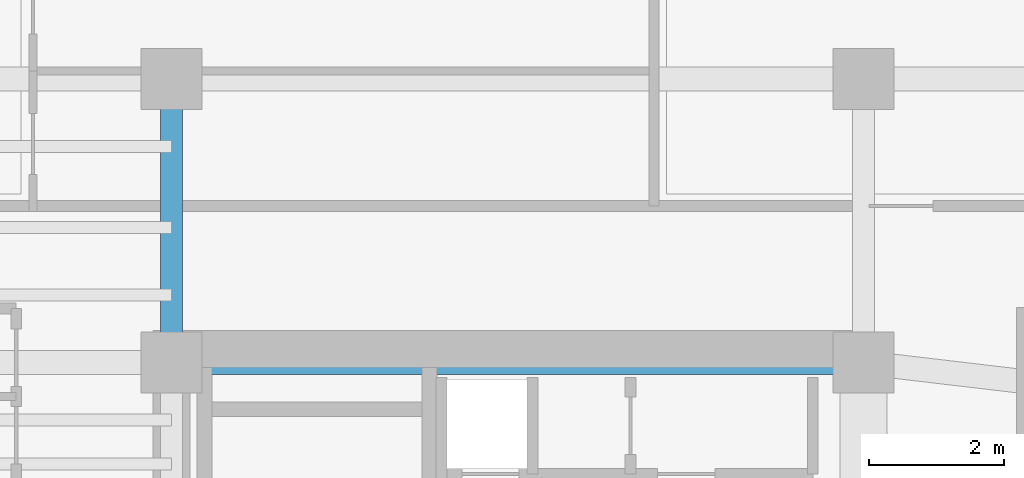
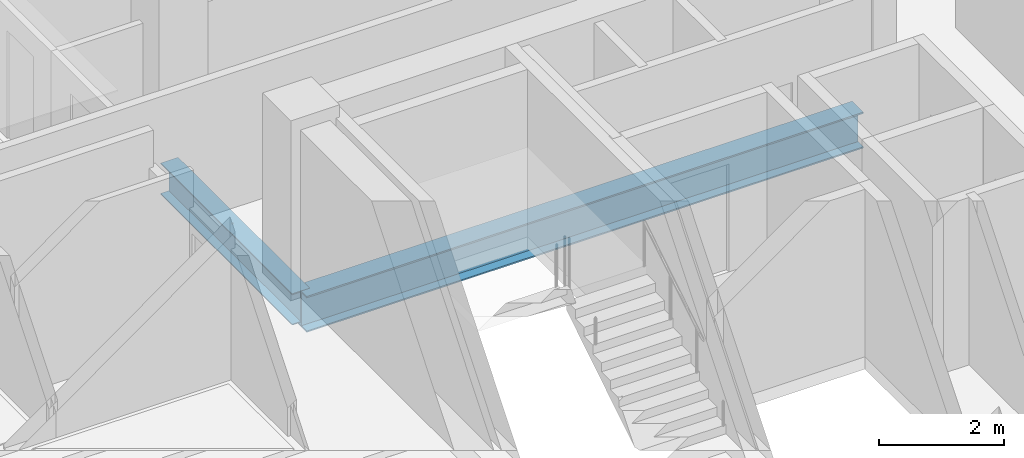
# One storey, part 9 of 23: 2 beams.
"""IFC4 building model written with IfcOpenShell, lengths in metres."""

from ifc_helpers import new_model, si_unit, direction, frame, origin, origin_2d, place, context, subcontext, project, spatial, i_section, extrude, source, transform, mapped, material, material_profile, profile_set, type_object, element, save


model = new_model("IFC4")

# Units and contexts
model_context = context("Model", 3, precision=1e-05, world=origin(), true_north=direction((0.0, 1.0)))
body_context = subcontext(model_context, "Body", "Model", "MODEL_VIEW")
ifc_project = project(units=[si_unit("LENGTHUNIT", "METRE"), si_unit("AREAUNIT", "SQUARE_METRE"), si_unit("VOLUMEUNIT", "CUBIC_METRE"), si_unit("PLANEANGLEUNIT", "RADIAN"), si_unit("MASSUNIT", "GRAM", prefix="KILO")], contexts=[model_context])

# Site, building, storey
site_placement = place(None, origin())
site = spatial("IfcSite", under=ifc_project, at=site_placement, CompositionType="ELEMENT")
building_placement = place(site_placement, origin())
building = spatial("IfcBuilding", under=site, at=building_placement, Name="Valdorenza Pilgrim Sanctuary Tower", CompositionType="ELEMENT")
storey_placement = place(building_placement, frame((0.0, 0.0, 226.5)))
storey = spatial("IfcBuildingStorey", under=building, at=storey_placement, Name="L58", CompositionType="ELEMENT", Elevation=226.5)

# Beams
ifc_material = material(Name="Steel ASTM A992 Grade 50", Category="steel")
ifc_material_profile_1 = material_profile(ifc_material, i_section(OverallWidth=0.323974609375, OverallDepth=0.611083984375, WebThickness=0.0126953125, FlangeThickness=0.01904296875, at=origin_2d()), Name="W24X104")
ifc_profile_set_1 = profile_set([ifc_material_profile_1], Name="Steel ASTM A992 Grade 50")
beam_type_1 = type_object("IfcBeamType", Name="STR-BM-GRD-W24B", PredefinedType="BEAM", material=ifc_profile_set_1)
shared_shape_1 = source(origin(), body_context, "Body", "SweptSolid", [
    extrude(i_section(OverallWidth=0.323974609375, OverallDepth=0.611083984375, WebThickness=0.0126953125, FlangeThickness=0.01904296875, at=origin_2d()), origin(), (0.0, 0.0, 1.0), 4.199951171875),
])
beam_1_placement = place(storey_placement, frame((-22.64990234375, 10.60009765625, -0.54541015625), z_axis=(0.0, 1.0, 0.0), x_axis=(-1.0, 0.0, 0.0)))
element("IfcBeam", 1, at=beam_1_placement, inside=storey, type_object=beam_type_1, Name="L58 Core Tie Girder CA-W-N1N2", PredefinedType="BEAM", context=body_context, shape_type="MappedRepresentation", body=[
    mapped(shared_shape_1, transform((0.0, 0.0, 0.0), x_axis=(1.0, 0.0, 0.0), y_axis=(0.0, 1.0, 0.0), z_axis=(0.0, 0.0, 1.0), scale=1.0)),
])
ifc_material_profile_2 = material_profile(ifc_material, i_section(OverallWidth=0.35595703125, OverallDepth=0.700927734375, WebThickness=0.016845703125, FlangeThickness=0.02734375, at=origin_2d()), Name="W27X161")
ifc_profile_set_2 = profile_set([ifc_material_profile_2], Name="Steel ASTM A992 Grade 50")
beam_type_2 = type_object("IfcBeamType", Name="STR-BM-GRD-W27", PredefinedType="BEAM", material=ifc_profile_set_2)
shared_shape_2 = source(origin(), body_context, "Body", "SweptSolid", [
    extrude(i_section(OverallWidth=0.35595703125, OverallDepth=0.700927734375, WebThickness=0.016845703125, FlangeThickness=0.02734375, at=origin_2d()), origin(), (0.0, 0.0, 1.0), 10.25),
])
beam_2_placement = place(storey_placement, frame((-22.64990234375, 10.60009765625, -0.590576171875), z_axis=(1.0, 0.0, 0.0), x_axis=(0.0, 1.0, 0.0)))
element("IfcBeam", 2, at=beam_2_placement, inside=storey, type_object=beam_type_2, Name="L58 Floor Girder CA-XC-N1", PredefinedType="BEAM", context=body_context, shape_type="MappedRepresentation", body=[
    mapped(shared_shape_2, transform((0.0, 0.0, 0.0), x_axis=(1.0, 0.0, 0.0), y_axis=(0.0, 1.0, 0.0), z_axis=(0.0, 0.0, 1.0), scale=1.0)),
])

save(model, "model.ifc")
